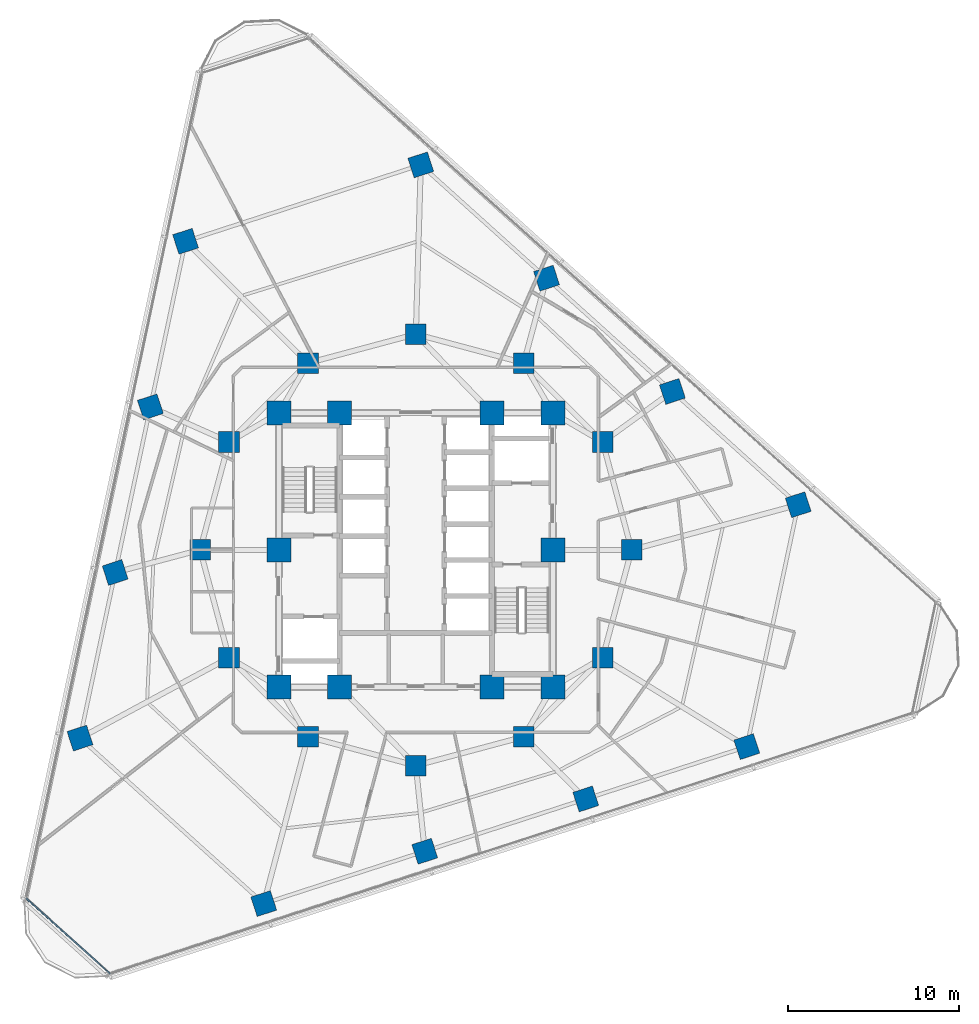
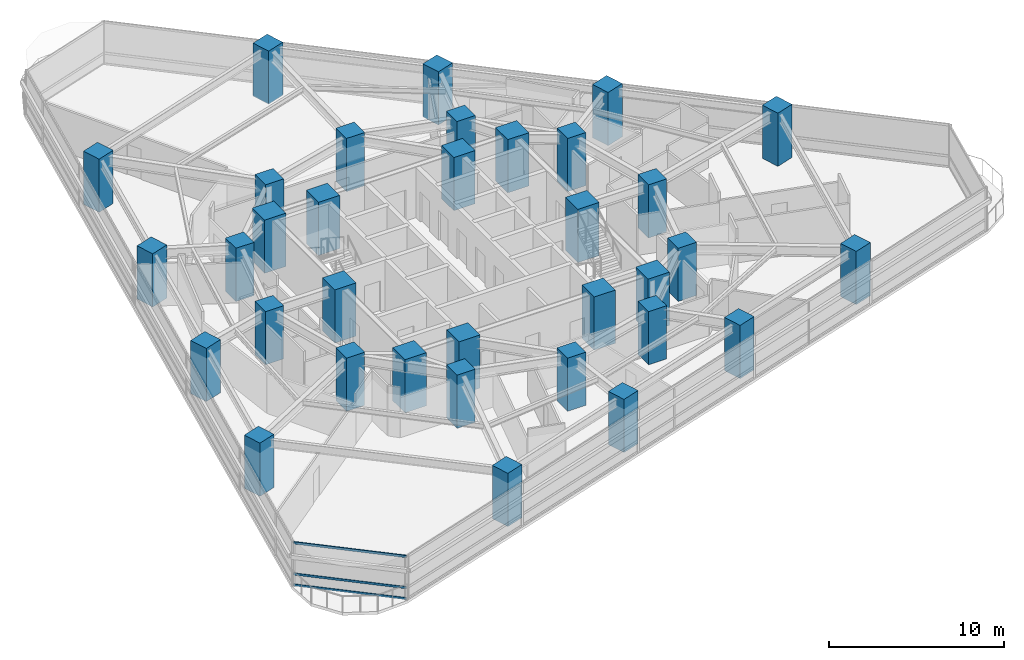
# One storey, part 1 of 13: 34 columns, 3 members, 1 element without a shape of its own.
"""IFC4 building model written with IfcOpenShell, lengths in metres."""

import ifcopenshell
import ifcopenshell.guid

model = None  # the IFC model being written
_history = None  # IfcOwnerHistory: only IFC2X3 demands one
_inside = {}  # id of a spatial element -> (the spatial element, [elements in it])
_under = {}  # id of a project, library or spatial element -> (it, [spatial elements below it])
_declared = {}  # id of a project -> (the project, [libraries it declares])
_typed = {}  # id of a type object -> (the type object, [elements of that type])
_made_of = {}  # id of a material, layer set ... -> (it, [elements and type objects made of it])


def new_model(schema):
    """Start an empty IFC model of exactly this schema.

    Asked for "IFC4X3", IfcOpenShell would pick the latest addendum, in which some entities
    have other attributes; the version numbers below select the first issue.
    IFC2X3 requires an IfcOwnerHistory on every rooted entity: one is made here for all.
    """
    global model, _history
    if schema == "IFC4X3":
        model = ifcopenshell.file(schema_version=(4, 3, 0, 0))
    else:
        model = ifcopenshell.file(schema=schema)
    _inside.clear()
    _under.clear()
    _declared.clear()
    _typed.clear()
    _made_of.clear()
    _history = None
    if model.schema == "IFC2X3":
        org = make("IfcOrganization", Name="unknown")
        user = make(
            "IfcPersonAndOrganization",
            ThePerson=make("IfcPerson", FamilyName="unknown"),
            TheOrganization=org,
        )
        app = make(
            "IfcApplication",
            ApplicationDeveloper=org,
            Version="unknown",
            ApplicationFullName="unknown",
            ApplicationIdentifier="unknown",
        )
        _history = make(
            "IfcOwnerHistory",
            OwningUser=user,
            OwningApplication=app,
            ChangeAction="ADDED",
            CreationDate=0,
        )
    return model


def make(cls, **values):
    """One entity of the class cls with the attributes given. An attribute that is None is left unset."""
    return model.create_entity(
        cls, **{name: value for name, value in values.items() if value is not None}
    )


def rooted(cls, **values):
    """An entity with a GlobalId (a new one), such as an element, a storey or a relation."""
    return make(cls, GlobalId=ifcopenshell.guid.new(), OwnerHistory=_history, **values)


def si_unit(unit_type, name, prefix=None):
    """IfcSIUnit, for example si_unit("LENGTHUNIT", "METRE", prefix="MILLI")."""
    return make("IfcSIUnit", UnitType=unit_type, Prefix=prefix, Name=name)


def assignment(units):
    """IfcUnitAssignment: the units of a project."""
    return None if units is None else make("IfcUnitAssignment", Units=units)


def point(xyz):
    """IfcCartesianPoint."""
    return None if xyz is None else make("IfcCartesianPoint", Coordinates=xyz)


def direction(xyz):
    """IfcDirection."""
    return None if xyz is None else make("IfcDirection", DirectionRatios=xyz)


def frame(location, z_axis=None, x_axis=None):
    """IfcAxis2Placement3D, a coordinate frame: its origin and axes. An axis left out is left unset."""
    return make(
        "IfcAxis2Placement3D",
        Location=point(location),
        Axis=direction(z_axis),
        RefDirection=direction(x_axis),
    )


def frame_2d(location, x_axis=None):
    """IfcAxis2Placement2D, a coordinate frame in the plane: its origin and x axis."""
    return make(
        "IfcAxis2Placement2D", Location=point(location), RefDirection=direction(x_axis)
    )


def origin():
    """The frame at (0, 0, 0) with its axes left unset."""
    return frame((0.0, 0.0, 0.0))


def origin_2d():
    """The frame at (0, 0) in the plane with its x axis left unset."""
    return frame_2d((0.0, 0.0))


def place(relative_to, where):
    """IfcLocalPlacement: puts the frame where relative to a parent placement (None: the world)."""
    return make(
        "IfcLocalPlacement", PlacementRelTo=relative_to, RelativePlacement=where
    )


def context(
    kind, dimensions, precision=None, world=None, true_north=None, identifier=None
):
    """IfcGeometricRepresentationContext, for example the 3D "Model" context."""
    return make(
        "IfcGeometricRepresentationContext",
        ContextIdentifier=identifier,
        ContextType=kind,
        CoordinateSpaceDimension=dimensions,
        Precision=precision,
        WorldCoordinateSystem=world,
        TrueNorth=true_north,
    )


def subcontext(parent, identifier, kind, view, scale=None):
    """IfcGeometricRepresentationSubContext, for example "Body" below "Model"."""
    return make(
        "IfcGeometricRepresentationSubContext",
        ContextIdentifier=identifier,
        ContextType=kind,
        ParentContext=parent,
        TargetScale=scale,
        TargetView=view,
    )


def project(units=None, contexts=None):
    """IfcProject with its units and contexts."""
    return rooted(
        "IfcProject",
        Name="project",
        RepresentationContexts=contexts,
        UnitsInContext=assignment(units),
    )


def spatial(cls, under=None, at=None, **own):
    """A site, building, storey or space (cls), placed at a placement, below another one or the project."""
    s = rooted(cls, ObjectPlacement=at, **own)
    if under is not None:
        _under.setdefault(under.id(), (under, []))[1].append(s)
    return s


def profile(cls, at=None, kind="AREA", **sizes):
    """A parametric profile (cls). Its sizes go by their IFC names, for example OverallWidth=200.0."""
    return make(cls, ProfileType=kind, Position=at, **sizes)


def rectangle(**sizes):
    """IfcRectangleProfileDef."""
    return profile("IfcRectangleProfileDef", **sizes)


def extrude(swept, where, along, depth):
    """IfcExtrudedAreaSolid: the profile swept, set in the frame where, extruded along a direction by depth."""
    return make(
        "IfcExtrudedAreaSolid",
        SweptArea=swept,
        Position=where,
        ExtrudedDirection=direction(along),
        Depth=depth,
    )


def shape(context_of_items, identifier, shape_type, items):
    """IfcShapeRepresentation: the items that make up one representation, for example the "Body"."""
    return make(
        "IfcShapeRepresentation",
        ContextOfItems=context_of_items,
        RepresentationIdentifier=identifier,
        RepresentationType=shape_type,
        Items=items,
    )


def material(Name=None, Category=None):
    """IfcMaterial."""
    return make("IfcMaterial", Name=Name, Category=Category)


def layer(
    of_material, thickness, ventilated=None, Name=None, Category=None, Priority=None
):
    """IfcMaterialLayer: one layer of a wall or slab, of a material (None: an air gap)."""
    return make(
        "IfcMaterialLayer",
        Material=of_material,
        LayerThickness=thickness,
        IsVentilated=ventilated,
        Name=Name,
        Category=Category,
        Priority=Priority,
    )


def layer_set(layers, Name=None):
    """IfcMaterialLayerSet."""
    return make("IfcMaterialLayerSet", MaterialLayers=layers, LayerSetName=Name)


def material_profile(
    of_material, cross_section, Name=None, Category=None, Priority=None
):
    """IfcMaterialProfile: a cross section and its material."""
    return make(
        "IfcMaterialProfile",
        Name=Name,
        Material=of_material,
        Profile=cross_section,
        Priority=Priority,
        Category=Category,
    )


def profile_set(profiles, Name=None, composite=None):
    """IfcMaterialProfileSet."""
    return make(
        "IfcMaterialProfileSet",
        Name=Name,
        MaterialProfiles=profiles,
        CompositeProfile=composite,
    )


def made_of(thing, what):
    """Note that an element or type object is made of a material, layer set ...; save() writes the relation."""
    if what is not None:
        _made_of.setdefault(what.id(), (what, []))[1].append(thing)
    return thing


def type_object(cls, material=None, **own):
    """A type object (cls), such as IfcWallType, which elements share."""
    return made_of(rooted(cls, **own), material)


def element(
    cls,
    number,
    at=None,
    inside=None,
    cuts=None,
    type_object=None,
    material=None,
    context=None,
    identifier="Body",
    shape_type=None,
    held_by="IfcProductDefinitionShape",
    body=None,
    shapes=None,
    **own,
):
    """One element of the class cls, such as IfcWall. Its Tag is "e" and its number.

    at: its placement. inside: the storey or other place that contains it. cuts: it is an
    opening in that element (IfcRelVoidsElement). A single representation is given by context,
    identifier, shape_type and body (its items); several are given by shapes. held_by: the class
    of the entity that holds the representations. save() writes the other relations.
    """
    e = rooted(cls, Tag="e%d" % number, ObjectPlacement=at, **own)
    if body is not None:
        shapes = [shape(context, identifier, shape_type, body)]
    if shapes is not None:
        e.Representation = make(held_by, Representations=shapes)
    if inside is not None:
        _inside.setdefault(inside.id(), (inside, []))[1].append(e)
    if cuts is not None:
        rooted(
            "IfcRelVoidsElement", RelatingBuildingElement=cuts, RelatedOpeningElement=e
        )
    if type_object is not None:
        _typed.setdefault(type_object.id(), (type_object, []))[1].append(e)
    return made_of(e, material)


def aggregate(whole, parts):
    """IfcRelAggregates: a whole, such as a stair, and the parts it consists of."""
    return rooted("IfcRelAggregates", RelatingObject=whole, RelatedObjects=parts)


def save(model, path):
    """Write the relations noted so far, then the file.

    IfcRelAggregates (storeys below a building ...), IfcRelContainedInSpatialStructure (elements
    in a storey), IfcRelDefinesByType, IfcRelAssociatesMaterial and IfcRelDeclares: one each for
    every whole, place, type object, material and project.
    """
    for whole, parts in _under.values():
        aggregate(whole, parts)
    for where, things in _inside.values():
        rooted(
            "IfcRelContainedInSpatialStructure",
            RelatedElements=things,
            RelatingStructure=where,
        )
    for kind, things in _typed.values():
        rooted("IfcRelDefinesByType", RelatedObjects=things, RelatingType=kind)
    for what, things in _made_of.values():
        rooted("IfcRelAssociatesMaterial", RelatedObjects=things, RelatingMaterial=what)
    for by, libraries in _declared.values():
        rooted("IfcRelDeclares", RelatingContext=by, RelatedDefinitions=libraries)
    model.write(path)


model = new_model("IFC4")

# Units and contexts
model_context = context("Model", 3, precision=1e-05, world=origin(), true_north=direction((0.0, 1.0)))
body_context = subcontext(model_context, "Body", "Model", "MODEL_VIEW")
ifc_project = project(units=[si_unit("LENGTHUNIT", "METRE"), si_unit("AREAUNIT", "SQUARE_METRE"), si_unit("VOLUMEUNIT", "CUBIC_METRE"), si_unit("PLANEANGLEUNIT", "RADIAN"), si_unit("MASSUNIT", "GRAM", prefix="KILO")], contexts=[model_context])

# Site, building, storey
site_placement = place(None, origin())
site = spatial("IfcSite", under=ifc_project, at=site_placement, CompositionType="ELEMENT")
building_placement = place(site_placement, origin())
building = spatial("IfcBuilding", under=site, at=building_placement, Name="Terralouvre Media Tower", CompositionType="ELEMENT")
storey_placement = place(building_placement, frame((0.0, 0.0, 105.10009765625)))
storey = spatial("IfcBuildingStorey", under=building, at=storey_placement, Name="L26", CompositionType="ELEMENT", Elevation=105.10009765625)

# Columns
ifc_material_1 = material(Name="Concrete C60/75", Category="concrete")
ifc_material_profile_1 = material_profile(ifc_material_1, rectangle(XDim=1.199951171875, YDim=1.199951171875, at=origin_2d()), Name="RC 1200x1200")
ifc_profile_set_1 = profile_set([ifc_material_profile_1], Name="Concrete C60/75")
column_type_1 = type_object("IfcColumnType", Name="Structural Column C-RC1200 (RC 1200x1200)", PredefinedType="COLUMN", material=ifc_profile_set_1)
for number, where, z_axis, x_axis, name in (
    (1, (12.60009765625, 0.0, 0.0), (0.0, 0.0, 1.0), (1.0, 0.0, 0.0), "L26 Mega-Frame Column MC01"),
    (2, (10.911865234375, 6.300048828125, 0.0), (0.0, 0.0, 1.0), (1.0, 0.0, 0.0), "L26 Mega-Frame Column MC02"),
    (3, (6.300048828125, 10.911865234375, 0.0), (0.0, 0.0, 1.0), (1.0, 0.0, 0.0), "L26 Mega-Frame Column MC03"),
    (4, (0.0, 12.60009765625, 0.0), (0.0, 0.0, 1.0), (1.0, 0.0, 0.0), "L26 Mega-Frame Column MC04"),
    (5, (-6.300048828125, 10.911865234375, 0.0), (0.0, 0.0, 1.0), (1.0, 0.0, 0.0), "L26 Mega-Frame Column MC05"),
    (6, (-10.911865234375, 6.300048828125, 0.0), (0.0, 0.0, 1.0), (1.0, 0.0, 0.0), "L26 Mega-Frame Column MC06"),
    (7, (-12.60009765625, 0.0, 0.0), (0.0, 0.0, 1.0), (1.0, 0.0, 0.0), "L26 Mega-Frame Column MC07"),
    (8, (-10.911865234375, -6.300048828125, 0.0), (0.0, 0.0, 1.0), (1.0, 0.0, 0.0), "L26 Mega-Frame Column MC08"),
    (9, (-6.300048828125, -10.911865234375, 0.0), (0.0, 0.0, 1.0), (1.0, 0.0, 0.0), "L26 Mega-Frame Column MC09"),
    (10, (0.0, -12.60009765625, 0.0), (0.0, 0.0, 1.0), (1.0, 0.0, 0.0), "L26 Mega-Frame Column MC10"),
    (11, (6.300048828125, -10.911865234375, 0.0), (0.0, 0.0, 1.0), (1.0, 0.0, 0.0), "L26 Mega-Frame Column MC11"),
    (12, (10.911865234375, -6.300048828125, 0.0), (0.0, 0.0, 1.0), (1.0, 0.0, 0.0), "L26 Mega-Frame Column MC12"),
    (13, (-8.883056640625, -20.658203125, 0.0), (0.0, 0.0, 1.0), (0.951056516295, 0.309016994375, 0.0), "L26 Perimeter Mega-Column PC11"),
    (14, (0.52099609375, -17.6025390625, 0.0), (0.0, 0.0, 1.0), (0.951056516295, 0.309016994375, 0.0), "L26 Perimeter Mega-Column PC12"),
    (15, (9.925048828125, -14.547119140625, 0.0), (0.0, 0.0, 1.0), (0.951056516295, 0.309016994375, 0.0), "L26 Perimeter Mega-Column PC13"),
    (16, (19.3291015625, -11.491455078125, 0.0), (0.0, 0.0, 1.0), (0.951056516295, 0.309016994375, 0.0), "L26 Perimeter Mega-Column PC14"),
    (17, (22.33203125, 2.63623046875, 0.0), (0.0, 0.0, 1.0), (0.951056516295, 0.309016994375, 0.0), "L26 Perimeter Mega-Column PC21"),
    (18, (14.98388671875, 9.25244140625, 0.0), (0.0, 0.0, 1.0), (0.951056516295, 0.309016994375, 0.0), "L26 Perimeter Mega-Column PC22"),
    (19, (7.635498046875, 15.868896484375, 0.0), (0.0, 0.0, 1.0), (0.951056516295, 0.309016994375, 0.0), "L26 Perimeter Mega-Column PC23"),
    (20, (0.287353515625, 22.4853515625, 0.0), (0.0, 0.0, 1.0), (0.951056516295, 0.309016994375, 0.0), "L26 Perimeter Mega-Column PC24"),
    (21, (-13.448974609375, 18.02197265625, 0.0), (0.0, 0.0, 1.0), (0.951056516295, 0.309016994375, 0.0), "L26 Perimeter Mega-Column PC31"),
    (22, (-15.5048828125, 8.35009765625, 0.0), (0.0, 0.0, 1.0), (0.951056516295, 0.309016994375, 0.0), "L26 Perimeter Mega-Column PC32"),
    (23, (-17.560791015625, -1.32177734375, 0.0), (0.0, 0.0, 1.0), (0.951056516295, 0.309016994375, 0.0), "L26 Perimeter Mega-Column PC33"),
    (24, (-19.616455078125, -10.99365234375, 0.0), (0.0, 0.0, 1.0), (0.951056516295, 0.309016994375, 0.0), "L26 Perimeter Mega-Column PC34"),
):
    element("IfcColumn", number, at=place(storey_placement, frame(where, z_axis=z_axis, x_axis=x_axis)), inside=storey, type_object=column_type_1, Name=name, PredefinedType="COLUMN", context=body_context, shape_type="SweptSolid", body=[
        extrude(rectangle(XDim=1.199951171875, YDim=1.199951171875, at=origin_2d()), origin(), (0.0, 0.0, 1.0), 3.699951171875),
    ])
ifc_material_2 = material(Name="Concrete C60/75", Category="concrete")
ifc_material_profile_2 = material_profile(ifc_material_2, rectangle(XDim=1.39990234375, YDim=1.39990234375, at=origin_2d()), Name="RC 1400x1400")
ifc_profile_set_2 = profile_set([ifc_material_profile_2], Name="Concrete C60/75")
column_type_2 = type_object("IfcColumnType", Name="Structural Column C-RC1400 (RC 1400x1400)", PredefinedType="COLUMN", material=ifc_profile_set_2)
for number, where, z_axis, x_axis, name in (
    (25, (-8.0, -8.0, 0.0), (0.0, 0.0, 1.0), (1.0, 0.0, 0.0), "L26 Core Pilaster Column CP1"),
    (26, (-4.449951171875, -8.0, 0.0), (0.0, 0.0, 1.0), (1.0, 0.0, 0.0), "L26 Core Pilaster Column CP2"),
    (27, (4.449951171875, -8.0, 0.0), (0.0, 0.0, 1.0), (1.0, 0.0, 0.0), "L26 Core Pilaster Column CP10"),
    (28, (8.0, -8.0, 0.0), (0.0, 0.0, 1.0), (1.0, 0.0, 0.0), "L26 Core Pilaster Column CP3"),
    (29, (8.0, 0.0, 0.0), (0.0, 0.0, 1.0), (1.0, 0.0, 0.0), "L26 Core Pilaster Column CP4"),
    (30, (8.0, 8.0, 0.0), (0.0, 0.0, 1.0), (1.0, 0.0, 0.0), "L26 Core Pilaster Column CP5"),
    (31, (4.449951171875, 8.0, 0.0), (0.0, 0.0, 1.0), (1.0, 0.0, 0.0), "L26 Core Pilaster Column CP9"),
    (32, (-4.449951171875, 8.0, 0.0), (0.0, 0.0, 1.0), (1.0, 0.0, 0.0), "L26 Core Pilaster Column CP6"),
    (33, (-8.0, 8.0, 0.0), (0.0, 0.0, 1.0), (1.0, 0.0, 0.0), "L26 Core Pilaster Column CP7"),
    (34, (-8.0, 0.0, 0.0), (0.0, 0.0, 1.0), (1.0, 0.0, 0.0), "L26 Core Pilaster Column CP8"),
):
    element("IfcColumn", number, at=place(storey_placement, frame(where, z_axis=z_axis, x_axis=x_axis)), inside=storey, type_object=column_type_2, Name=name, PredefinedType="COLUMN", context=body_context, shape_type="SweptSolid", body=[
        extrude(rectangle(XDim=1.39990234375, YDim=1.39990234375, at=origin_2d()), origin(), (0.0, 0.0, 1.0), 3.699951171875),
    ])

# Curtain wall, members
ifc_material_3 = material(Name="Low-iron laminated double glazing with solar-control coating", Category="glass")
ifc_layer = layer(ifc_material_3, 0.1650390625, Name="Rounded Wind-Corner Curved Glazing CW-04")
ifc_layer_set = layer_set([ifc_layer], Name="Low-iron laminated double glazing with solar-control coating")
curtain_wall_type = type_object("IfcCurtainWallType", Name="Rounded Wind-Corner Curved Glazing CW-04", PredefinedType="NOTDEFINED", material=ifc_layer_set)
curtain_wall_placement = place(storey_placement, origin())
curtain_wall = element("IfcCurtainWall", 35, at=curtain_wall_placement, inside=storey, type_object=curtain_wall_type, Name="L26 Rounded Wind-Corner Curtain Wall C0", PredefinedType="NOTDEFINED")
ifc_material_4 = material(Name="Anodised extruded aluminium 6063-T6", Category="aluminium")
ifc_material_profile_3 = material_profile(ifc_material_4, rectangle(XDim=0.074951171875, YDim=0.14990234375, at=origin_2d()), Name="ALU 75x150")
ifc_profile_set_3 = profile_set([ifc_material_profile_3], Name="Anodised extruded aluminium 6063-T6")
member_type = type_object("IfcMemberType", Name="Curtain-Wall Horizontal Transom TR-150", PredefinedType="USERDEFINED", material=ifc_profile_set_3)
member_1_placement = place(storey_placement, frame((-22.74560546875, -20.351806640625, 0.037353515625), z_axis=(0.743146319996, -0.669128946524, 0.0), x_axis=(0.669128946524, 0.743146319996, 0.0)))
member_1 = element("IfcMember", 36, at=member_1_placement, type_object=member_type, Name="CW-04 transom 1.1", ObjectType="TRANSOM", PredefinedType="USERDEFINED", context=body_context, shape_type="SweptSolid", body=[
    extrude(rectangle(XDim=0.074951171875, YDim=0.14990234375, at=origin_2d()), origin(), (0.0, 0.0, 1.0), 6.570556640625),
])
member_2_placement = place(storey_placement, frame((-22.74560546875, -20.351806640625, 0.7998046875), z_axis=(0.743146319996, -0.669128946524, 0.0), x_axis=(0.669128946524, 0.743146319996, 0.0)))
member_2 = element("IfcMember", 37, at=member_2_placement, type_object=member_type, Name="CW-04 transom 1.2", ObjectType="TRANSOM", PredefinedType="USERDEFINED", context=body_context, shape_type="SweptSolid", body=[
    extrude(rectangle(XDim=0.074951171875, YDim=0.14990234375, at=origin_2d()), origin(), (0.0, 0.0, 1.0), 6.570556640625),
])
member_3_placement = place(storey_placement, frame((-22.74560546875, -20.351806640625, 2.96240234375), z_axis=(0.743146319996, -0.669128946524, 0.0), x_axis=(0.669128946524, 0.743146319996, 0.0)))
member_3 = element("IfcMember", 38, at=member_3_placement, type_object=member_type, Name="CW-04 transom 1.3", ObjectType="TRANSOM", PredefinedType="USERDEFINED", context=body_context, shape_type="SweptSolid", body=[
    extrude(rectangle(XDim=0.074951171875, YDim=0.14990234375, at=origin_2d()), origin(), (0.0, 0.0, 1.0), 6.570556640625),
])
aggregate(curtain_wall, [member_1, member_2, member_3])

save(model, "model.ifc")
